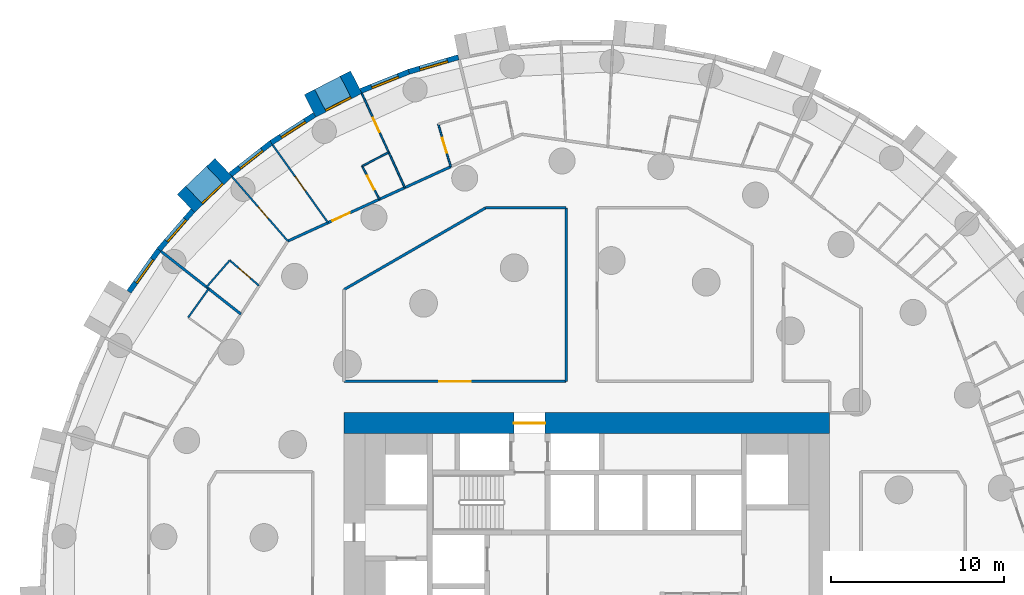
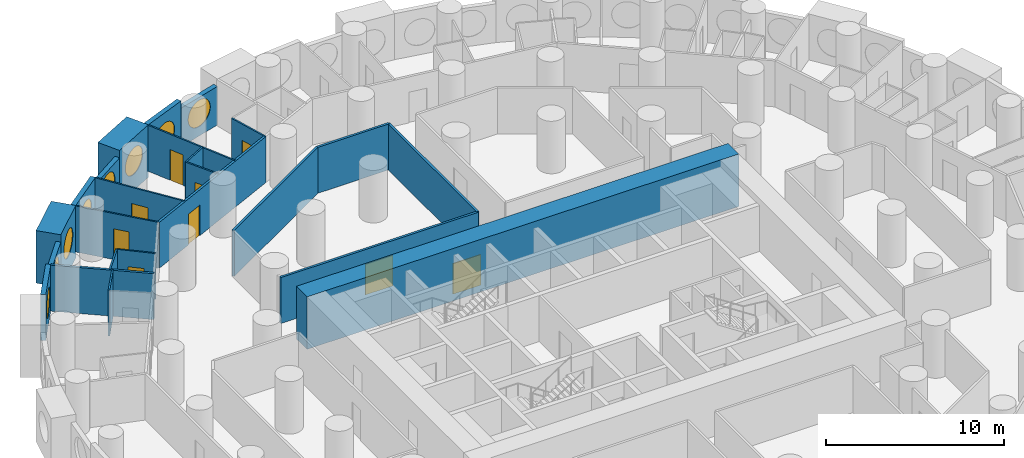
# One storey, part 7 of 12: 25 walls, 9 doors, 8 windows, 17 openings.
"""IFC4 building model written with IfcOpenShell, lengths in metres."""

from ifc_helpers import new_model, si_unit, direction, frame, frame_2d, origin, origin_2d, place, context, subcontext, project, spatial, rectangle, circle, extrude, material, layer, layer_set, type_object, element, fill, save


model = new_model("IFC4")

# Units and contexts
model_context = context("Model", 3, precision=1e-05, world=origin(), true_north=direction((0.0, 1.0)))
body_context = subcontext(model_context, "Body", "Model", "MODEL_VIEW")
ifc_project = project(units=[si_unit("LENGTHUNIT", "METRE"), si_unit("AREAUNIT", "SQUARE_METRE"), si_unit("VOLUMEUNIT", "CUBIC_METRE"), si_unit("PLANEANGLEUNIT", "RADIAN"), si_unit("MASSUNIT", "GRAM", prefix="KILO")], contexts=[model_context])

# Site, building, storey
site_placement = place(None, origin())
site = spatial("IfcSite", under=ifc_project, at=site_placement, CompositionType="ELEMENT")
building_placement = place(site_placement, origin())
building = spatial("IfcBuilding", under=site, at=building_placement, Name="Tracery Tower", CompositionType="ELEMENT")
storey_placement = place(building_placement, frame((0.0, 0.0, 42.60009765625)))
storey = spatial("IfcBuildingStorey", under=building, at=storey_placement, Name="L09", CompositionType="ELEMENT", Elevation=42.60009765625)

# Wall, opening, door
ifc_material_1 = material(Name="Concrete C60/75", Category="concrete")
ifc_layer_1 = layer(ifc_material_1, 1.199951171875)
ifc_layer_set_1 = layer_set([ifc_layer_1], Name="Core wall 1200 C60")
wall_type_1 = type_object("IfcWallType", Name="Core wall 1200 C60", PredefinedType="SOLIDWALL", material=ifc_layer_set_1)
wall_1_placement = place(storey_placement, frame((-14.0, 9.39990234375, 0.0), z_axis=(0.0, 0.0, 1.0), x_axis=(1.0, 0.0, 0.0)))
wall_1 = element("IfcWall", 1, at=wall_1_placement, inside=storey, type_object=wall_type_1, Name="L09 outer N", PredefinedType="SOLIDWALL", context=body_context, shape_type="SweptSolid", body=[
    extrude(rectangle(XDim=28.0, YDim=1.199951171875, at=frame_2d((14.0, 0.0))), origin(), (0.0, 0.0, 1.0), 3.599853515625),
])
opening_1_placement = place(wall_1_placement, frame((9.800048828125, 0.0, 0.0)))
opening_1 = element("IfcOpeningElement", 2, at=opening_1_placement, cuts=wall_1, Name="Opening KD13", PredefinedType="OPENING", context=body_context, shape_type="SweptSolid", body=[
    extrude(rectangle(XDim=1.800048828125, YDim=2.10009765625, at=frame_2d((0.89990234375, 1.050048828125))), frame((0.0, 0.60009765625, 0.0), z_axis=(0.0, -1.0, 0.0), x_axis=(1.0, 0.0, 0.0)), (0.0, 0.0, 1.0), 1.199951171875),
])
ifc_material_2 = material(Name="Steel fire door", Category="steel")
door_type_1 = type_object("IfcDoorType", Name="Core exit door 1800 double", OperationType="NOTDEFINED", PredefinedType="DOOR", material=ifc_material_2)
door_1_placement = place(opening_1_placement, origin())
door_1 = element("IfcDoor", 3, at=door_1_placement, inside=storey, type_object=door_type_1, Name="Core exit door", OperationType="DOUBLE_DOOR_SINGLE_SWING", OverallHeight=2.10009765625, OverallWidth=1.800048828125, PredefinedType="DOOR", context=body_context, shape_type="SweptSolid", body=[
    extrude(rectangle(XDim=1.800048828125, YDim=2.10009765625, at=frame_2d((0.89990234375, 1.050048828125))), frame((0.0, 0.02490234375, 0.0), z_axis=(0.0, -1.0, 0.0), x_axis=(1.0, 0.0, 0.0)), (0.0, 0.0, 1.0), 0.050048828125),
])
fill(opening_1, door_1)

# Wall, opening, window
ifc_material_3 = material(Name="Precast concrete C50/60", Category="concrete")
ifc_layer_2 = layer(ifc_material_3, 1.449951171875)
ifc_layer_set_2 = layer_set([ifc_layer_2], Name="Deep-set bay unit 3000 x 3600, slab edge 450")
wall_type_2 = type_object("IfcWallType", Name="Deep-set bay unit 3000 x 3600, slab edge 450", PredefinedType="ELEMENTEDWALL", material=ifc_layer_set_2)
wall_2_placement = place(storey_placement, frame((-13.29052734375, 29.053466796875, -0.4501953125), z_axis=(0.0, 0.0, 1.0), x_axis=(-0.888858064689, -0.458182650083, 0.0)))
wall_2 = element("IfcWall", 4, at=wall_2_placement, inside=storey, type_object=wall_type_2, Name="Deep-set bay unit 22 at L09", PredefinedType="ELEMENTEDWALL", context=body_context, shape_type="SweptSolid", body=[
    extrude(rectangle(XDim=3.0, YDim=1.449951171875, at=frame_2d((1.5, 0.0))), origin(), (0.0, 0.0, 1.0), 3.60009765625),
])
opening_2_placement = place(wall_2_placement, frame((1.5, 0.0, 2.0)))
opening_2 = element("IfcOpeningElement", 5, at=opening_2_placement, cuts=wall_2, Name="Opening WN1", PredefinedType="OPENING", context=body_context, shape_type="SweptSolid", body=[
    extrude(circle(Radius=0.9000244140625, at=origin_2d()), frame((0.0, 0.73486328125, 0.0), z_axis=(0.0, -1.0, 0.0), x_axis=(1.0, 0.0, 0.0)), (0.0, 0.0, 1.0), 1.469970703125),
])
ifc_material_4 = material(Name="Aluminium frame with tinted double glazing", Category="aluminium")
window_type = type_object("IfcWindowType", Name="Round window 1800", PartitioningType="SINGLE_PANEL", PredefinedType="WINDOW", material=ifc_material_4)
window_1_placement = place(opening_2_placement, origin())
window_1 = element("IfcWindow", 6, at=window_1_placement, inside=storey, type_object=window_type, Name="Round window 22 at L09", OverallHeight=1.800048828125, OverallWidth=1.800048828125, PartitioningType="SINGLE_PANEL", PredefinedType="WINDOW", context=body_context, shape_type="SweptSolid", body=[
    extrude(circle(Radius=0.9000244140625, at=origin_2d()), frame((0.0, 0.69482421875, 0.0), z_axis=(0.0, -1.0, 0.0), x_axis=(1.0, 0.0, 0.0)), (0.0, 0.0, 1.0), 0.10009765625),
])
fill(opening_2, window_1)

wall_3_placement = place(storey_placement, frame((-20.9375, 24.13232421875, -0.4501953125), z_axis=(0.0, 0.0, 1.0), x_axis=(-0.723712023899, -0.690102098579, 0.0)))
wall_3 = element("IfcWall", 7, at=wall_3_placement, inside=storey, type_object=wall_type_2, Name="Deep-set bay unit 25 at L09", PredefinedType="ELEMENTEDWALL", context=body_context, shape_type="SweptSolid", body=[
    extrude(rectangle(XDim=3.0, YDim=1.449951171875, at=frame_2d((1.5, 0.0))), origin(), (0.0, 0.0, 1.0), 3.60009765625),
])
opening_3_placement = place(wall_3_placement, frame((1.5, 0.0, 2.0)))
opening_3 = element("IfcOpeningElement", 8, at=opening_3_placement, cuts=wall_3, Name="Opening WN1", PredefinedType="OPENING", context=body_context, shape_type="SweptSolid", body=[
    extrude(circle(Radius=0.9000244140625, at=origin_2d()), frame((0.0, 0.73486328125, 0.0), z_axis=(0.0, -1.0, 0.0), x_axis=(1.0, 0.0, 0.0)), (0.0, 0.0, 1.0), 1.469970703125),
])
window_2_placement = place(opening_3_placement, origin())
window_2 = element("IfcWindow", 9, at=window_2_placement, inside=storey, type_object=window_type, Name="Round window 25 at L09", OverallHeight=1.800048828125, OverallWidth=1.800048828125, PartitioningType="SINGLE_PANEL", PredefinedType="WINDOW", context=body_context, shape_type="SweptSolid", body=[
    extrude(circle(Radius=0.9000244140625, at=origin_2d()), frame((0.0, 0.69482421875, 0.0), z_axis=(0.0, -1.0, 0.0), x_axis=(1.0, 0.0, 0.0)), (0.0, 0.0, 1.0), 0.10009765625),
])
fill(opening_3, window_2)

ifc_material_5 = material(Name="Precast concrete C50/60", Category="concrete")
ifc_layer_3 = layer(ifc_material_5, 0.300048828125)
ifc_layer_set_3 = layer_set([ifc_layer_3], Name="Facade panel 3000 x 2650")
wall_type_3 = type_object("IfcWallType", Name="Facade panel 3000 x 2650", PredefinedType="SOLIDWALL", material=ifc_layer_set_3)
wall_4_placement = place(storey_placement, frame((-7.402587890625, 30.48828125, 0.0), z_axis=(0.0, 0.0, 1.0), x_axis=(-0.959501085144, -0.281704930036, 0.0)))
wall_4 = element("IfcWall", 10, at=wall_4_placement, inside=storey, type_object=wall_type_3, Name="Facade panel 20 at L09", PredefinedType="SOLIDWALL", context=body_context, shape_type="SweptSolid", body=[
    extrude(rectangle(XDim=2.9794921875, YDim=0.300048828125, at=frame_2d((1.48974609375, 0.0))), origin(), (0.0, 0.0, 1.0), 2.64990234375),
])
opening_4_placement = place(wall_4_placement, frame((1.48974609375, 0.0, 1.5498046875)))
opening_4 = element("IfcOpeningElement", 11, at=opening_4_placement, cuts=wall_4, Name="Opening WN1", PredefinedType="OPENING", context=body_context, shape_type="SweptSolid", body=[
    extrude(circle(Radius=0.9000244140625, at=origin_2d()), frame((0.0, 0.159912109375, 0.0), z_axis=(0.0, -1.0, 0.0), x_axis=(1.0, 0.0, 0.0)), (0.0, 0.0, 1.0), 0.320068359375),
])
window_3_placement = place(opening_4_placement, origin())
window_3 = element("IfcWindow", 12, at=window_3_placement, inside=storey, type_object=window_type, Name="Round window 20 at L09", OverallHeight=1.800048828125, OverallWidth=1.800048828125, PartitioningType="SINGLE_PANEL", PredefinedType="WINDOW", context=body_context, shape_type="SweptSolid", body=[
    extrude(circle(Radius=0.9000244140625, at=origin_2d()), frame((0.0, 0.1201171875, 0.0), z_axis=(0.0, -1.0, 0.0), x_axis=(1.0, 0.0, 0.0)), (0.0, 0.0, 1.0), 0.10009765625),
])
fill(opening_4, window_3)

wall_5_placement = place(storey_placement, frame((-15.6923828125, 27.167724609375, 0.0), z_axis=(0.0, 0.0, 1.0), x_axis=(-0.841260995538, -0.54062920508, 0.0)))
wall_5 = element("IfcWall", 13, at=wall_5_placement, inside=storey, type_object=wall_type_3, Name="Facade panel 23 at L09", PredefinedType="SOLIDWALL", context=body_context, shape_type="SweptSolid", body=[
    extrude(rectangle(XDim=2.9794921875, YDim=0.300048828125, at=frame_2d((1.48974609375, 0.0))), origin(), (0.0, 0.0, 1.0), 2.64990234375),
])
opening_5_placement = place(wall_5_placement, frame((1.48974609375, 0.0, 1.5498046875)))
opening_5 = element("IfcOpeningElement", 14, at=opening_5_placement, cuts=wall_5, Name="Opening WN1", PredefinedType="OPENING", context=body_context, shape_type="SweptSolid", body=[
    extrude(circle(Radius=0.9000244140625, at=origin_2d()), frame((0.0, 0.159912109375, 0.0), z_axis=(0.0, -1.0, 0.0), x_axis=(1.0, 0.0, 0.0)), (0.0, 0.0, 1.0), 0.320068359375),
])
window_4_placement = place(opening_5_placement, origin())
window_4 = element("IfcWindow", 15, at=window_4_placement, inside=storey, type_object=window_type, Name="Round window 23 at L09", OverallHeight=1.800048828125, OverallWidth=1.800048828125, PartitioningType="SINGLE_PANEL", PredefinedType="WINDOW", context=body_context, shape_type="SweptSolid", body=[
    extrude(circle(Radius=0.9000244140625, at=origin_2d()), frame((0.0, 0.1201171875, 0.0), z_axis=(0.0, -1.0, 0.0), x_axis=(1.0, 0.0, 0.0)), (0.0, 0.0, 1.0), 0.10009765625),
])
fill(opening_5, window_4)

wall_6_placement = place(storey_placement, frame((-22.710693359375, 21.646240234375, 0.0), z_axis=(0.0, 0.0, 1.0), x_axis=(-0.654830712471, -0.755775587066, 0.0)))
wall_6 = element("IfcWall", 16, at=wall_6_placement, inside=storey, type_object=wall_type_3, Name="Facade panel 26 at L09", PredefinedType="SOLIDWALL", context=body_context, shape_type="SweptSolid", body=[
    extrude(rectangle(XDim=2.979736328125, YDim=0.300048828125, at=frame_2d((1.48974609375, 0.0))), origin(), (0.0, 0.0, 1.0), 2.64990234375),
])
opening_6_placement = place(wall_6_placement, frame((1.48974609375, 0.0, 1.5498046875)))
opening_6 = element("IfcOpeningElement", 17, at=opening_6_placement, cuts=wall_6, Name="Opening WN1", PredefinedType="OPENING", context=body_context, shape_type="SweptSolid", body=[
    extrude(circle(Radius=0.9000244140625, at=origin_2d()), frame((0.0, 0.159912109375, 0.0), z_axis=(0.0, -1.0, 0.0), x_axis=(1.0, 0.0, 0.0)), (0.0, 0.0, 1.0), 0.320068359375),
])
window_5_placement = place(opening_6_placement, origin())
window_5 = element("IfcWindow", 18, at=window_5_placement, inside=storey, type_object=window_type, Name="Round window 26 at L09", OverallHeight=1.800048828125, OverallWidth=1.800048828125, PartitioningType="SINGLE_PANEL", PredefinedType="WINDOW", context=body_context, shape_type="SweptSolid", body=[
    extrude(circle(Radius=0.9000244140625, at=origin_2d()), frame((0.0, 0.1201171875, 0.0), z_axis=(0.0, -1.0, 0.0), x_axis=(1.0, 0.0, 0.0)), (0.0, 0.0, 1.0), 0.10009765625),
])
fill(opening_6, window_5)

ifc_material_6 = material(Name="Precast concrete C50/60", Category="concrete")
ifc_layer_4 = layer(ifc_material_6, 0.300048828125)
ifc_layer_set_4 = layer_set([ifc_layer_4], Name="Facade panel 3000 x 3150")
wall_type_4 = type_object("IfcWallType", Name="Facade panel 3000 x 3150", PredefinedType="SOLIDWALL", material=ifc_layer_set_4)
wall_7_placement = place(storey_placement, frame((-10.261474609375, 29.64892578125, 0.0), z_axis=(0.0, 0.0, 1.0), x_axis=(-0.928374947, -0.371644935098, 0.0)))
wall_7 = element("IfcWall", 19, at=wall_7_placement, inside=storey, type_object=wall_type_4, Name="Facade panel 21 at L09", PredefinedType="SOLIDWALL", context=body_context, shape_type="SweptSolid", body=[
    extrude(rectangle(XDim=2.979736328125, YDim=0.300048828125, at=frame_2d((1.48974609375, 0.0))), origin(), (0.0, 0.0, 1.0), 3.14990234375),
])
opening_7_placement = place(wall_7_placement, frame((1.48974609375, 0.0, 1.5498046875)))
opening_7 = element("IfcOpeningElement", 20, at=opening_7_placement, cuts=wall_7, Name="Opening WN1", PredefinedType="OPENING", context=body_context, shape_type="SweptSolid", body=[
    extrude(circle(Radius=0.9000244140625, at=origin_2d()), frame((0.0, 0.159912109375, 0.0), z_axis=(0.0, -1.0, 0.0), x_axis=(1.0, 0.0, 0.0)), (0.0, 0.0, 1.0), 0.320068359375),
])
window_6_placement = place(opening_7_placement, origin())
window_6 = element("IfcWindow", 21, at=window_6_placement, inside=storey, type_object=window_type, Name="Round window 21 at L09", OverallHeight=1.800048828125, OverallWidth=1.800048828125, PartitioningType="SINGLE_PANEL", PredefinedType="WINDOW", context=body_context, shape_type="SweptSolid", body=[
    extrude(circle(Radius=0.9000244140625, at=origin_2d()), frame((0.0, 0.1201171875, 0.0), z_axis=(0.0, -1.0, 0.0), x_axis=(1.0, 0.0, 0.0)), (0.0, 0.0, 1.0), 0.10009765625),
])
fill(opening_7, window_6)

wall_8_placement = place(storey_placement, frame((-18.198974609375, 25.556884765625, 0.0), z_axis=(0.0, 0.0, 1.0), x_axis=(-0.786053834673, -0.618158045322, 0.0)))
wall_8 = element("IfcWall", 22, at=wall_8_placement, inside=storey, type_object=wall_type_4, Name="Facade panel 24 at L09", PredefinedType="SOLIDWALL", context=body_context, shape_type="SweptSolid", body=[
    extrude(rectangle(XDim=2.9794921875, YDim=0.300048828125, at=frame_2d((1.48974609375, 0.0))), origin(), (0.0, 0.0, 1.0), 3.14990234375),
])
opening_8_placement = place(wall_8_placement, frame((1.48974609375, 0.0, 1.5498046875)))
opening_8 = element("IfcOpeningElement", 23, at=opening_8_placement, cuts=wall_8, Name="Opening WN1", PredefinedType="OPENING", context=body_context, shape_type="SweptSolid", body=[
    extrude(circle(Radius=0.9000244140625, at=origin_2d()), frame((0.0, 0.159912109375, 0.0), z_axis=(0.0, -1.0, 0.0), x_axis=(1.0, 0.0, 0.0)), (0.0, 0.0, 1.0), 0.320068359375),
])
window_7_placement = place(opening_8_placement, origin())
window_7 = element("IfcWindow", 24, at=window_7_placement, inside=storey, type_object=window_type, Name="Round window 24 at L09", OverallHeight=1.800048828125, OverallWidth=1.800048828125, PartitioningType="SINGLE_PANEL", PredefinedType="WINDOW", context=body_context, shape_type="SweptSolid", body=[
    extrude(circle(Radius=0.9000244140625, at=origin_2d()), frame((0.0, 0.1201171875, 0.0), z_axis=(0.0, -1.0, 0.0), x_axis=(1.0, 0.0, 0.0)), (0.0, 0.0, 1.0), 0.10009765625),
])
fill(opening_8, window_7)

wall_9_placement = place(storey_placement, frame((-24.661865234375, 19.394287109375, 0.0), z_axis=(0.0, 0.0, 1.0), x_axis=(-0.580113774115, -0.814535456, 0.0)))
wall_9 = element("IfcWall", 25, at=wall_9_placement, inside=storey, type_object=wall_type_4, Name="Facade panel 27 at L09", PredefinedType="SOLIDWALL", context=body_context, shape_type="SweptSolid", body=[
    extrude(rectangle(XDim=2.979736328125, YDim=0.300048828125, at=frame_2d((1.48974609375, 0.0))), origin(), (0.0, 0.0, 1.0), 3.14990234375),
])
opening_9_placement = place(wall_9_placement, frame((1.48974609375, 0.0, 1.5498046875)))
opening_9 = element("IfcOpeningElement", 26, at=opening_9_placement, cuts=wall_9, Name="Opening WN1", PredefinedType="OPENING", context=body_context, shape_type="SweptSolid", body=[
    extrude(circle(Radius=0.9000244140625, at=origin_2d()), frame((0.0, 0.159912109375, 0.0), z_axis=(0.0, -1.0, 0.0), x_axis=(1.0, 0.0, 0.0)), (0.0, 0.0, 1.0), 0.320068359375),
])
window_8_placement = place(opening_9_placement, origin())
window_8 = element("IfcWindow", 27, at=window_8_placement, inside=storey, type_object=window_type, Name="Round window 27 at L09", OverallHeight=1.800048828125, OverallWidth=1.800048828125, PartitioningType="SINGLE_PANEL", PredefinedType="WINDOW", context=body_context, shape_type="SweptSolid", body=[
    extrude(circle(Radius=0.9000244140625, at=origin_2d()), frame((0.0, 0.1201171875, 0.0), z_axis=(0.0, -1.0, 0.0), x_axis=(1.0, 0.0, 0.0)), (0.0, 0.0, 1.0), 0.10009765625),
])
fill(opening_9, window_8)

# Wall, opening, door
ifc_material_7 = material(Name="Plasterboard on steel studs", Category="steel")
ifc_layer_5 = layer(ifc_material_7, 0.10009765625)
ifc_layer_set_5 = layer_set([ifc_layer_5], Name="Partition 100 stud")
wall_type_5 = type_object("IfcWallType", Name="Partition 100 stud", PredefinedType="PARTITIONING", material=ifc_layer_set_5)
wall_10_placement = place(storey_placement, frame((-18.112060546875, 25.43505859375, 0.0), z_axis=(0.0, 0.0, 1.0), x_axis=(0.580004598464, -0.81461320009, 0.0)))
wall_10 = element("IfcWall", 28, at=wall_10_placement, inside=storey, type_object=wall_type_5, Name="Stud partition RA2-101", PredefinedType="PARTITIONING", context=body_context, shape_type="SweptSolid", body=[
    extrude(rectangle(XDim=5.507080078125, YDim=0.10009765625, at=frame_2d((2.75341796875, 0.0))), origin(), (0.0, 0.0, 1.0), 3.14990234375),
])
opening_10_placement = place(wall_10_placement, frame((2.25390625, 0.0, 0.0)))
opening_10 = element("IfcOpeningElement", 29, at=opening_10_placement, cuts=wall_10, Name="Opening RA2-35", PredefinedType="OPENING", context=body_context, shape_type="SweptSolid", body=[
    extrude(rectangle(XDim=1.0, YDim=2.0400390625, at=frame_2d((0.5, 1.02001953125))), frame((0.0, 0.050048828125, 0.0), z_axis=(0.0, -1.0, 0.0), x_axis=(1.0, 0.0, 0.0)), (0.0, 0.0, 1.0), 0.10009765625),
])
ifc_material_8 = material(Name="Timber door leaf", Category="wood")
door_type_2 = type_object("IfcDoorType", Name="Door communal room 1000", OperationType="NOTDEFINED", PredefinedType="DOOR", material=ifc_material_8)
door_2_placement = place(opening_10_placement, origin())
door_2 = element("IfcDoor", 30, at=door_2_placement, inside=storey, type_object=door_type_2, Name="Communal room door RA2-35", OperationType="SINGLE_SWING_LEFT", OverallHeight=2.0400390625, OverallWidth=1.0, PredefinedType="DOOR", context=body_context, shape_type="SweptSolid", body=[
    extrude(rectangle(XDim=1.0, YDim=2.0400390625, at=frame_2d((0.5, 1.02001953125))), frame((0.0, 0.02490234375, 0.0), z_axis=(0.0, -1.0, 0.0), x_axis=(1.0, 0.0, 0.0)), (0.0, 0.0, 1.0), 0.050048828125),
])
fill(opening_10, door_2)

wall_11_placement = place(storey_placement, frame((-12.970947265625, 28.403076171875, 0.0), z_axis=(0.0, 0.0, 1.0), x_axis=(0.415455663581, -0.909613429759, 0.0)))
wall_11 = element("IfcWall", 31, at=wall_11_placement, inside=storey, type_object=wall_type_5, Name="Stud partition RA2-104", PredefinedType="PARTITIONING", context=body_context, shape_type="SweptSolid", body=[
    extrude(rectangle(XDim=3.738037109375, YDim=0.10009765625, at=frame_2d((1.869140625, 0.0))), origin(), (0.0, 0.0, 1.0), 3.14990234375),
])
opening_11_placement = place(wall_11_placement, frame((1.541015625, 0.0, 0.0)))
opening_11 = element("IfcOpeningElement", 32, at=opening_11_placement, cuts=wall_11, Name="Opening RA2-37", PredefinedType="OPENING", context=body_context, shape_type="SweptSolid", body=[
    extrude(rectangle(XDim=0.89990234375, YDim=2.10009765625, at=frame_2d((0.449951171875, 1.050048828125))), frame((0.0, 0.050048828125, 0.0), z_axis=(0.0, -1.0, 0.0), x_axis=(1.0, 0.0, 0.0)), (0.0, 0.0, 1.0), 0.10009765625),
])
ifc_material_9 = material(Name="Timber door leaf", Category="wood")
door_type_3 = type_object("IfcDoorType", Name="Door bedroom 900", OperationType="NOTDEFINED", PredefinedType="DOOR", material=ifc_material_9)
door_3_placement = place(opening_11_placement, origin())
door_3 = element("IfcDoor", 33, at=door_3_placement, inside=storey, type_object=door_type_3, Name="Bedroom door RA2-37", OperationType="SINGLE_SWING_RIGHT", OverallHeight=2.10009765625, OverallWidth=0.89990234375, PredefinedType="DOOR", context=body_context, shape_type="SweptSolid", body=[
    extrude(rectangle(XDim=0.89990234375, YDim=2.10009765625, at=frame_2d((0.449951171875, 1.050048828125))), frame((0.0, 0.02490234375, 0.0), z_axis=(0.0, -1.0, 0.0), x_axis=(1.0, 0.0, 0.0)), (0.0, 0.0, 1.0), 0.050048828125),
])
fill(opening_11, door_3)

wall_12_placement = place(storey_placement, frame((-20.447998046875, 23.597900390625, 0.0), z_axis=(0.0, 0.0, 1.0), x_axis=(0.654847179409, -0.755761319214, 0.0)))
wall_12 = element("IfcWall", 34, at=wall_12_placement, inside=storey, type_object=wall_type_5, Name="Stud partition RA2-105", PredefinedType="PARTITIONING", context=body_context, shape_type="SweptSolid", body=[
    extrude(rectangle(XDim=4.90625, YDim=0.10009765625, at=frame_2d((2.453125, 0.0))), origin(), (0.0, 0.0, 1.0), 3.14990234375),
])
opening_12_placement = place(wall_12_placement, frame((2.2724609375, 0.0, 0.0)))
opening_12 = element("IfcOpeningElement", 35, at=opening_12_placement, cuts=wall_12, Name="Opening RA2-39", PredefinedType="OPENING", context=body_context, shape_type="SweptSolid", body=[
    extrude(rectangle(XDim=0.89990234375, YDim=2.10009765625, at=frame_2d((0.449951171875, 1.050048828125))), frame((0.0, 0.050048828125, 0.0), z_axis=(0.0, -1.0, 0.0), x_axis=(1.0, 0.0, 0.0)), (0.0, 0.0, 1.0), 0.10009765625),
])
door_4_placement = place(opening_12_placement, origin())
door_4 = element("IfcDoor", 36, at=door_4_placement, inside=storey, type_object=door_type_3, Name="Bedroom door RA2-39", OperationType="SINGLE_SWING_LEFT", OverallHeight=2.10009765625, OverallWidth=0.89990234375, PredefinedType="DOOR", context=body_context, shape_type="SweptSolid", body=[
    extrude(rectangle(XDim=0.89990234375, YDim=2.10009765625, at=frame_2d((0.449951171875, 1.050048828125))), frame((0.0, 0.02490234375, 0.0), z_axis=(0.0, -1.0, 0.0), x_axis=(1.0, 0.0, 0.0)), (0.0, 0.0, 1.0), 0.050048828125),
])
fill(opening_12, door_4)

# Wall
ifc_material_10 = material(Name="Plasterboard on steel studs", Category="steel")
ifc_layer_6 = layer(ifc_material_10, 0.10009765625)
ifc_layer_set_6 = layer_set([ifc_layer_6], Name="Partition 100 wet wall")
wall_type_6 = type_object("IfcWallType", Name="Partition 100 wet wall", PredefinedType="PARTITIONING", material=ifc_layer_set_6)
wall_13_placement = place(storey_placement, frame((-12.948974609375, 24.214111328125, 0.0), z_axis=(0.0, 0.0, 1.0), x_axis=(0.888946574069, 0.458010904292, 0.0)))
element("IfcWall", 37, at=wall_13_placement, inside=storey, type_object=wall_type_6, Name="Wet wall RA2-102", PredefinedType="PARTITIONING", context=body_context, shape_type="SweptSolid", body=[
    extrude(rectangle(XDim=1.72216796875, YDim=0.10009765625, at=frame_2d((0.861083984375, 0.0))), origin(), (0.0, 0.0, 1.0), 3.14990234375),
])

# Wall, opening, door
wall_14_placement = place(storey_placement, frame((-12.948974609375, 24.214111328125, 0.0), z_axis=(0.0, 0.0, 1.0), x_axis=(0.458149254338, -0.888875278512, 0.0)))
wall_14 = element("IfcWall", 38, at=wall_14_placement, inside=storey, type_object=wall_type_6, Name="Wet wall RA2-103", PredefinedType="PARTITIONING", context=body_context, shape_type="SweptSolid", body=[
    extrude(rectangle(XDim=2.154541015625, YDim=0.10009765625, at=frame_2d((1.0771484375, 0.0))), origin(), (0.0, 0.0, 1.0), 3.14990234375),
])
opening_13_placement = place(wall_14_placement, frame((0.626953125, 0.0, 0.0)))
opening_13 = element("IfcOpeningElement", 39, at=opening_13_placement, cuts=wall_14, Name="Opening RA2-36", PredefinedType="OPENING", context=body_context, shape_type="SweptSolid", body=[
    extrude(rectangle(XDim=0.89990234375, YDim=2.0, at=frame_2d((0.449951171875, 1.0))), frame((0.0, 0.050048828125, 0.0), z_axis=(0.0, -1.0, 0.0), x_axis=(1.0, 0.0, 0.0)), (0.0, 0.0, 1.0), 0.10009765625),
])
ifc_material_11 = material(Name="Timber door leaf", Category="wood")
door_type_4 = type_object("IfcDoorType", Name="Door shower room 900", OperationType="NOTDEFINED", PredefinedType="DOOR", material=ifc_material_11)
door_5_placement = place(opening_13_placement, origin())
door_5 = element("IfcDoor", 40, at=door_5_placement, inside=storey, type_object=door_type_4, Name="Shower room door RA2-36", OperationType="SINGLE_SWING_LEFT", OverallHeight=2.0, OverallWidth=0.89990234375, PredefinedType="DOOR", context=body_context, shape_type="SweptSolid", body=[
    extrude(rectangle(XDim=0.89990234375, YDim=2.0, at=frame_2d((0.449951171875, 1.0))), frame((0.0, 0.02490234375, 0.0), z_axis=(0.0, -1.0, 0.0), x_axis=(1.0, 0.0, 0.0)), (0.0, 0.0, 1.0), 0.050048828125),
])
fill(opening_13, door_5)

# Wall
wall_15_placement = place(storey_placement, frame((-11.41796875, 25.0029296875, 0.0), z_axis=(0.0, 0.0, 1.0), x_axis=(0.415416212057, -0.909631447764, 0.0)))
element("IfcWall", 41, at=wall_15_placement, inside=storey, type_object=wall_type_6, Name="Wet wall RA2-106", PredefinedType="PARTITIONING", context=body_context, shape_type="SweptSolid", body=[
    extrude(rectangle(XDim=2.23388671875, YDim=0.10009765625, at=frame_2d((1.116943359375, 0.0))), origin(), (0.0, 0.0, 1.0), 3.14990234375),
])

# Wall, opening, door
wall_16_placement = place(storey_placement, frame((-8.56494140625, 26.634033203125, 0.0), z_axis=(0.0, 0.0, 1.0), x_axis=(0.281758205139, -0.959485442222, 0.0)))
wall_16 = element("IfcWall", 42, at=wall_16_placement, inside=storey, type_object=wall_type_6, Name="Wet wall RA2-108", PredefinedType="PARTITIONING", context=body_context, shape_type="SweptSolid", body=[
    extrude(rectangle(XDim=2.558837890625, YDim=0.10009765625, at=frame_2d((1.279296875, 0.0))), origin(), (0.0, 0.0, 1.0), 3.14990234375),
])
opening_14_placement = place(wall_16_placement, frame((0.8291015625, 0.0, 0.0)))
opening_14 = element("IfcOpeningElement", 43, at=opening_14_placement, cuts=wall_16, Name="Opening RA2-38", PredefinedType="OPENING", context=body_context, shape_type="SweptSolid", body=[
    extrude(rectangle(XDim=0.89990234375, YDim=2.0400390625, at=frame_2d((0.449951171875, 1.02001953125))), frame((0.0, 0.050048828125, 0.0), z_axis=(0.0, -1.0, 0.0), x_axis=(1.0, 0.0, 0.0)), (0.0, 0.0, 1.0), 0.10009765625),
])
ifc_material_12 = material(Name="Timber door leaf", Category="wood")
door_type_5 = type_object("IfcDoorType", Name="Door en-suite 900", OperationType="NOTDEFINED", PredefinedType="DOOR", material=ifc_material_12)
door_6_placement = place(opening_14_placement, origin())
door_6 = element("IfcDoor", 44, at=door_6_placement, inside=storey, type_object=door_type_5, Name="En-suite door RA2-38", OperationType="SINGLE_SWING_LEFT", OverallHeight=2.0400390625, OverallWidth=0.89990234375, PredefinedType="DOOR", context=body_context, shape_type="SweptSolid", body=[
    extrude(rectangle(XDim=0.89990234375, YDim=2.0400390625, at=frame_2d((0.449951171875, 1.02001953125))), frame((0.0, 0.02490234375, 0.0), z_axis=(0.0, -1.0, 0.0), x_axis=(1.0, 0.0, 0.0)), (0.0, 0.0, 1.0), 0.050048828125),
])
fill(opening_14, door_6)

wall_17_placement = place(storey_placement, frame((-20.5849609375, 18.781982421875, 0.0), z_axis=(0.0, 0.0, 1.0), x_axis=(0.755685488978, -0.6549346851, 0.0)))
wall_17 = element("IfcWall", 45, at=wall_17_placement, inside=storey, type_object=wall_type_6, Name="Wet wall RA2-109", PredefinedType="PARTITIONING", context=body_context, shape_type="SweptSolid", body=[
    extrude(rectangle(XDim=2.241455078125, YDim=0.10009765625, at=frame_2d((1.12060546875, 0.0))), origin(), (0.0, 0.0, 1.0), 3.14990234375),
])
opening_15_placement = place(wall_17_placement, frame((0.670654296875, 0.0, 0.0)))
opening_15 = element("IfcOpeningElement", 46, at=opening_15_placement, cuts=wall_17, Name="Opening RA2-40", PredefinedType="OPENING", context=body_context, shape_type="SweptSolid", body=[
    extrude(rectangle(XDim=0.89990234375, YDim=2.0400390625, at=frame_2d((0.449951171875, 1.02001953125))), frame((0.0, 0.050048828125, 0.0), z_axis=(0.0, -1.0, 0.0), x_axis=(1.0, 0.0, 0.0)), (0.0, 0.0, 1.0), 0.10009765625),
])
door_7_placement = place(opening_15_placement, origin())
door_7 = element("IfcDoor", 47, at=door_7_placement, inside=storey, type_object=door_type_5, Name="En-suite door RA2-40", OperationType="SINGLE_SWING_RIGHT", OverallHeight=2.0400390625, OverallWidth=0.89990234375, PredefinedType="DOOR", context=body_context, shape_type="SweptSolid", body=[
    extrude(rectangle(XDim=0.89990234375, YDim=2.0400390625, at=frame_2d((0.449951171875, 1.02001953125))), frame((0.0, 0.02490234375, 0.0), z_axis=(0.0, -1.0, 0.0), x_axis=(1.0, 0.0, 0.0)), (0.0, 0.0, 1.0), 0.050048828125),
])
fill(opening_15, door_7)

# Walls
wall_18_placement = place(storey_placement, frame((-21.922119140625, 17.239013671875, 0.0), z_axis=(0.0, 0.0, 1.0), x_axis=(0.654907776539, 0.755708809152, 0.0)))
element("IfcWall", 48, at=wall_18_placement, inside=storey, type_object=wall_type_6, Name="Wet wall RA2-110", PredefinedType="PARTITIONING", context=body_context, shape_type="SweptSolid", body=[
    extrude(rectangle(XDim=2.041748046875, YDim=0.10009765625, at=frame_2d((1.02099609375, 0.0))), origin(), (0.0, 0.0, 1.0), 3.14990234375),
])
wall_19_placement = place(storey_placement, frame((-22.97802734375, 15.486083984375, 0.0), z_axis=(0.0, 0.0, 1.0), x_axis=(0.580283748447, 0.814414373208, 0.0)))
element("IfcWall", 49, at=wall_19_placement, inside=storey, type_object=wall_type_6, Name="Wet wall RA2-112", PredefinedType="PARTITIONING", context=body_context, shape_type="SweptSolid", body=[
    extrude(rectangle(XDim=2.033447265625, YDim=0.10009765625, at=frame_2d((1.0166015625, 0.0))), origin(), (0.0, 0.0, 1.0), 3.14990234375),
])
ifc_material_13 = material(Name="Plasterboard on steel studs", Category="steel")
ifc_layer_7 = layer(ifc_material_13, 0.14990234375)
ifc_layer_set_7 = layer_set([ifc_layer_7], Name="Partition 150 acoustic unit wall")
wall_type_7 = type_object("IfcWallType", Name="Partition 150 acoustic unit wall", PredefinedType="PARTITIONING", material=ifc_layer_set_7)
wall_20_placement = place(storey_placement, frame((-24.5439453125, 19.302001953125, 0.0), z_axis=(0.0, 0.0, 1.0), x_axis=(0.785905950196, -0.618346049916, 0.0)))
element("IfcWall", 50, at=wall_20_placement, inside=storey, type_object=wall_type_7, Name="Unit wall RA2-111", PredefinedType="PARTITIONING", context=body_context, shape_type="SweptSolid", body=[
    extrude(rectangle(XDim=5.857177734375, YDim=0.14990234375, at=frame_2d((2.9287109375, 0.0))), origin(), (0.0, 0.0, 1.0), 3.14990234375),
])

# Wall, opening, door
ifc_material_14 = material(Name="Plasterboard on steel studs", Category="steel")
ifc_layer_8 = layer(ifc_material_14, 0.14990234375)
ifc_layer_set_8 = layer_set([ifc_layer_8], Name="Partition 150 corridor wall")
wall_type_8 = type_object("IfcWallType", Name="Partition 150 corridor wall", PredefinedType="PARTITIONING", material=ifc_layer_set_8)
wall_21_placement = place(storey_placement, frame((-14.00390625, 11.800048828125, 0.0), z_axis=(0.0, 0.0, 1.0), x_axis=(1.0, 0.0, 0.0)))
wall_21 = element("IfcWall", 51, at=wall_21_placement, inside=storey, type_object=wall_type_8, Name="Corridor wall RA2-001", PredefinedType="PARTITIONING", context=body_context, shape_type="SweptSolid", body=[
    extrude(rectangle(XDim=12.81591796875, YDim=0.14990234375, at=frame_2d((6.407958984375, 0.0))), origin(), (0.0, 0.0, 1.0), 3.14990234375),
])
opening_16_placement = place(wall_21_placement, frame((5.508056640625, 0.0, 0.0)))
opening_16 = element("IfcOpeningElement", 52, at=opening_16_placement, cuts=wall_21, Name="Opening RA2-01", PredefinedType="OPENING", context=body_context, shape_type="SweptSolid", body=[
    extrude(rectangle(XDim=1.800048828125, YDim=2.10009765625, at=frame_2d((0.89990234375, 1.050048828125))), frame((0.0, 0.074951171875, 0.0), z_axis=(0.0, -1.0, 0.0), x_axis=(1.0, 0.0, 0.0)), (0.0, 0.0, 1.0), 0.14990234375),
])
ifc_material_15 = material(Name="Timber door leaf", Category="wood")
door_type_6 = type_object("IfcDoorType", Name="Door double lounge 1800", OperationType="NOTDEFINED", PredefinedType="DOOR", material=ifc_material_15)
door_8_placement = place(opening_16_placement, origin())
door_8 = element("IfcDoor", 53, at=door_8_placement, inside=storey, type_object=door_type_6, Name="Double lounge door RA2-01", OperationType="DOUBLE_DOOR_SINGLE_SWING", OverallHeight=2.10009765625, OverallWidth=1.800048828125, PredefinedType="DOOR", context=body_context, shape_type="SweptSolid", body=[
    extrude(rectangle(XDim=1.800048828125, YDim=2.10009765625, at=frame_2d((0.89990234375, 1.050048828125))), frame((0.0, 0.02490234375, 0.0), z_axis=(0.0, -1.0, 0.0), x_axis=(1.0, 0.0, 0.0)), (0.0, 0.0, 1.0), 0.050048828125),
])
fill(opening_16, door_8)

# Walls
wall_22_placement = place(storey_placement, frame((-1.19189453125, 11.800048828125, 0.0), z_axis=(0.0, 0.0, 1.0), x_axis=(0.0, 1.0, 0.0)))
element("IfcWall", 54, at=wall_22_placement, inside=storey, type_object=wall_type_8, Name="Corridor wall RA2-024", PredefinedType="PARTITIONING", context=body_context, shape_type="SweptSolid", body=[
    extrude(rectangle(XDim=10.001953125, YDim=0.14990234375, at=frame_2d((5.0009765625, 0.0))), origin(), (0.0, 0.0, 1.0), 3.14990234375),
])
wall_23_placement = place(storey_placement, frame((-5.842041015625, 21.802001953125, 0.0), z_axis=(0.0, 0.0, 1.0), x_axis=(1.0, 0.0, 0.0)))
element("IfcWall", 55, at=wall_23_placement, inside=storey, type_object=wall_type_8, Name="Corridor wall RA2-025", PredefinedType="PARTITIONING", context=body_context, shape_type="SweptSolid", body=[
    extrude(rectangle(XDim=4.650146484375, YDim=0.14990234375, at=frame_2d((2.3251953125, 0.0))), origin(), (0.0, 0.0, 1.0), 3.14990234375),
])
wall_24_placement = place(storey_placement, frame((-14.0, 17.092041015625, 0.0), z_axis=(0.0, 0.0, 1.0), x_axis=(0.86602719091, 0.499996904595, 0.0)))
element("IfcWall", 56, at=wall_24_placement, inside=storey, type_object=wall_type_8, Name="Corridor wall RA2-026", PredefinedType="PARTITIONING", context=body_context, shape_type="SweptSolid", body=[
    extrude(rectangle(XDim=9.419921875, YDim=0.14990234375, at=frame_2d((4.7099609375, 0.0))), origin(), (0.0, 0.0, 1.0), 3.14990234375),
])

# Wall, opening, door
wall_25_placement = place(storey_placement, frame((-17.235107421875, 19.890380859375, 0.0), z_axis=(0.0, 0.0, 1.0), x_axis=(0.909655192768, 0.415364213999, 0.0)))
wall_25 = element("IfcWall", 57, at=wall_25_placement, inside=storey, type_object=wall_type_8, Name="Corridor wall RA2-036", PredefinedType="PARTITIONING", context=body_context, shape_type="SweptSolid", body=[
    extrude(rectangle(XDim=10.328369140625, YDim=0.14990234375, at=frame_2d((5.1640625, 0.0))), origin(), (0.0, 0.0, 1.0), 3.14990234375),
])
opening_17_placement = place(wall_25_placement, frame((2.822998046875, 0.0, 0.0)))
opening_17 = element("IfcOpeningElement", 58, at=opening_17_placement, cuts=wall_25, Name="Opening RA2-34", PredefinedType="OPENING", context=body_context, shape_type="SweptSolid", body=[
    extrude(rectangle(XDim=1.10009765625, YDim=2.10009765625, at=frame_2d((0.550048828125, 1.050048828125))), frame((0.0, 0.074951171875, 0.0), z_axis=(0.0, -1.0, 0.0), x_axis=(1.0, 0.0, 0.0)), (0.0, 0.0, 1.0), 0.14990234375),
])
ifc_material_16 = material(Name="Timber door leaf", Category="wood")
door_type_7 = type_object("IfcDoorType", Name="Door cluster entrance 1100", OperationType="NOTDEFINED", PredefinedType="DOOR", material=ifc_material_16)
door_9_placement = place(opening_17_placement, origin())
door_9 = element("IfcDoor", 59, at=door_9_placement, inside=storey, type_object=door_type_7, Name="Cluster entrance door RA2-34", OperationType="SINGLE_SWING_LEFT", OverallHeight=2.10009765625, OverallWidth=1.10009765625, PredefinedType="DOOR", context=body_context, shape_type="SweptSolid", body=[
    extrude(rectangle(XDim=1.10009765625, YDim=2.10009765625, at=frame_2d((0.550048828125, 1.050048828125))), frame((0.0, 0.02490234375, 0.0), z_axis=(0.0, -1.0, 0.0), x_axis=(1.0, 0.0, 0.0)), (0.0, 0.0, 1.0), 0.050048828125),
])
fill(opening_17, door_9)

save(model, "model.ifc")
